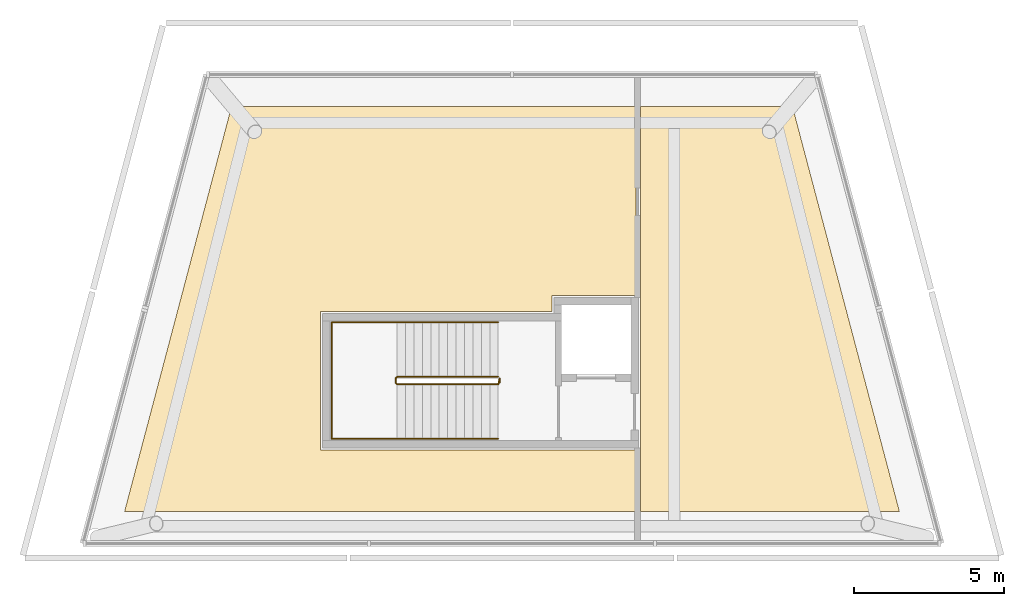
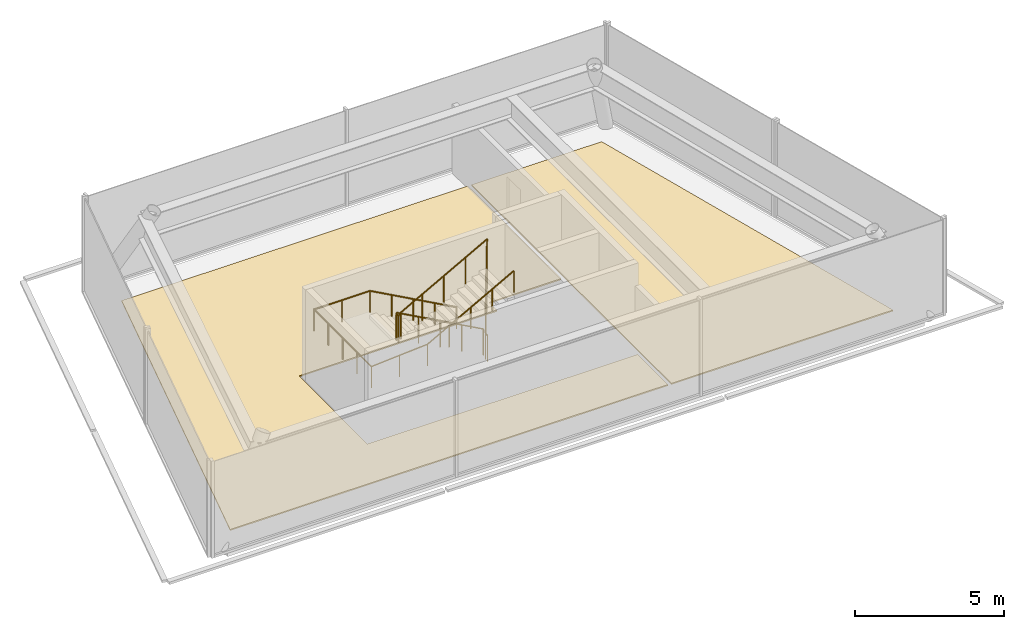
# One storey, part 3 of 3: 2 coverings, 2 railings.
"""IFC4 building model written with IfcOpenShell, lengths in metres."""

from ifc_helpers import new_model, si_unit, direction, frame, origin, origin_2d, place, context, subcontext, project, spatial, polyline, circle, outline, extrude, material, layer, layer_set, type_object, element, save


model = new_model("IFC4")

# Units and contexts
model_context = context("Model", 3, precision=1e-05, world=origin(), true_north=direction((0.0, 1.0)))
body_context = subcontext(model_context, "Body", "Model", "MODEL_VIEW")
ifc_project = project(units=[si_unit("LENGTHUNIT", "METRE"), si_unit("AREAUNIT", "SQUARE_METRE"), si_unit("VOLUMEUNIT", "CUBIC_METRE"), si_unit("PLANEANGLEUNIT", "RADIAN"), si_unit("MASSUNIT", "GRAM", prefix="KILO")], contexts=[model_context])

# Site, building, storey
site_placement = place(None, origin())
site = spatial("IfcSite", under=ifc_project, at=site_placement, CompositionType="ELEMENT")
building_placement = place(site_placement, origin())
building = spatial("IfcBuilding", under=site, at=building_placement, Name="Quipu Civic Tower", CompositionType="ELEMENT")
storey_placement = place(building_placement, frame((0.0, 0.0, 376.0)))
storey = spatial("IfcBuildingStorey", under=building, at=storey_placement, Name="L87", CompositionType="ELEMENT", Elevation=376.0)

# Coverings
ifc_material_1 = material(Name="Sealed cement screed")
ifc_layer = layer(ifc_material_1, 0.050048828125)
ifc_layer_set = layer_set([ifc_layer], Name="Sealed cement screed")
covering_type = type_object("IfcCoveringType", Name="Sealed screed floor finish 50", PredefinedType="FLOORING", material=ifc_layer_set)
covering_1_placement = place(storey_placement, origin())
element("IfcCovering", 1, at=covering_1_placement, inside=storey, type_object=covering_type, Name="Sealed screed floor finish 50", PredefinedType="FLOORING", context=body_context, shape_type="SweptSolid", body=[
    extrude(outline(polyline([(-9.3291015625, 4.89990234375), (4.1298828125, 4.89990234375), (4.1298828125, -1.3798828125), (1.330078125, -1.3798828125), (1.330078125, -1.909912109375), (-6.3701171875, -1.909912109375), (-6.3701171875, -6.52001953125), (4.1298828125, -6.52001953125), (4.1298828125, -8.56005859375), (-12.884033203125, -8.56005859375), (-9.3291015625, 4.89990234375)])), origin(), (0.0, 0.0, 1.0), 0.050048828125),
])
covering_2_placement = place(storey_placement, origin())
element("IfcCovering", 2, at=covering_2_placement, inside=storey, type_object=covering_type, Name="Sealed screed floor finish 50", PredefinedType="FLOORING", context=body_context, shape_type="SweptSolid", body=[
    extrude(outline(polyline([(4.27001953125, 4.89990234375), (9.3291015625, 4.89990234375), (12.884033203125, -8.56005859375), (4.27001953125, -8.56005859375), (4.27001953125, 4.89990234375)])), origin(), (0.0, 0.0, 1.0), 0.050048828125),
])

# Railings
ifc_material_2 = material(Name="Stainless steel", Category="steel")
railing_type_1 = type_object("IfcRailingType", Name="Stair guard 1100", PredefinedType="GUARDRAIL", material=ifc_material_2)
railing_1_placement = place(storey_placement, frame((-0.4599609375, -4.090087890625, 0.15380859375)))
element("IfcRailing", 3, at=railing_1_placement, inside=storey, type_object=railing_type_1, Name="Stair 5 guard", PredefinedType="GUARDRAIL", context=body_context, shape_type="SweptSolid", body=[
    extrude(circle(Radius=0.02392578125, at=origin_2d()), frame((0.0, 0.0, 1.076171875), z_axis=(-0.876421534553, 0.0, 0.481544695509), x_axis=(0.0, -1.0, 0.0)), (0.0, 0.0, 1.0), 3.833984375),
    extrude(circle(Radius=0.02392578125, at=origin_2d()), frame((-3.360107421875, 0.0, 2.92236328125), z_axis=(-0.708833529934, -0.705375805398, 0.0), x_axis=(0.705375805398, -0.708833529934, 0.0)), (0.0, 0.0, 1.0), 0.070556640625),
    extrude(circle(Radius=0.02392578125, at=origin_2d()), frame((-3.41015625, -0.0498046875, 2.92236328125), z_axis=(0.0, -1.0, 0.0), x_axis=(1.0, 0.0, 0.0)), (0.0, 0.0, 1.0), 0.150146484375),
    extrude(circle(Radius=0.02392578125, at=origin_2d()), frame((-3.41015625, -0.199951171875, 2.92236328125), z_axis=(0.295599637079, -0.295599637079, 0.908428152975), x_axis=(0.707106781187, 0.707106781187, 0.0)), (0.0, 0.0, 1.0), 0.16943359375),
    extrude(circle(Radius=0.02392578125, at=origin_2d()), frame((-3.360107421875, -0.25, 3.076171875), z_axis=(0.876421534553, 0.0, 0.481544695509), x_axis=(0.0, 1.0, 0.0)), (0.0, 0.0, 1.0), 3.833984375),
    extrude(circle(Radius=0.02392578125, at=origin_2d()), frame((0.0, -0.25, 4.92236328125), z_axis=(0.012495589946, 0.049982359782, -0.998671930086), x_axis=(-0.970142500145, 0.242535625036, 0.0)), (0.0, 0.0, 1.0), 4.00537109375),
    extrude(circle(Radius=0.02392578125, at=origin_2d()), frame((0.050048828125, -0.0498046875, 0.92236328125), z_axis=(0.0, -1.0, 0.0), x_axis=(1.0, 0.0, 0.0)), (0.0, 0.0, 1.0), 0.150146484375),
    extrude(circle(Radius=0.02099609375, at=origin_2d()), origin(), (0.0, 0.0, 1.0), 1.052001953125),
    extrude(circle(Radius=0.02099609375, at=origin_2d()), frame((-0.840087890625, 0.0, 0.46142578125)), (0.0, 0.0, 1.0), 1.052001953125),
    extrude(circle(Radius=0.02099609375, at=origin_2d()), frame((-1.68017578125, 0.0, 0.923095703125)), (0.0, 0.0, 1.0), 1.052001953125),
    extrude(circle(Radius=0.02099609375, at=origin_2d()), frame((-2.52001953125, 0.0, 1.384765625)), (0.0, 0.0, 1.0), 1.052001953125),
    extrude(circle(Radius=0.02099609375, at=origin_2d()), frame((-3.360107421875, 0.0, 1.84619140625)), (0.0, 0.0, 1.0), 1.052001953125),
    extrude(circle(Radius=0.02099609375, at=origin_2d()), frame((-3.41015625, -0.0498046875, 1.84619140625)), (0.0, 0.0, 1.0), 1.052001953125),
    extrude(circle(Radius=0.02099609375, at=origin_2d()), frame((-3.41015625, -0.199951171875, 1.84619140625)), (0.0, 0.0, 1.0), 1.052001953125),
    extrude(circle(Radius=0.02099609375, at=origin_2d()), frame((-3.360107421875, -0.25, 2.0)), (0.0, 0.0, 1.0), 1.052001953125),
    extrude(circle(Radius=0.02099609375, at=origin_2d()), frame((-2.52001953125, -0.25, 2.46142578125)), (0.0, 0.0, 1.0), 1.052001953125),
    extrude(circle(Radius=0.02099609375, at=origin_2d()), frame((-1.68017578125, -0.25, 2.923095703125)), (0.0, 0.0, 1.0), 1.052001953125),
    extrude(circle(Radius=0.02099609375, at=origin_2d()), frame((-0.840087890625, -0.25, 3.384765625)), (0.0, 0.0, 1.0), 1.052001953125),
    extrude(circle(Radius=0.02099609375, at=origin_2d()), frame((0.0, -0.25, 3.84619140625)), (0.0, 0.0, 1.0), 1.052001953125),
    extrude(circle(Radius=0.02099609375, at=origin_2d()), frame((0.012451171875, -0.199951171875, 2.84619140625)), (0.0, 0.0, 1.0), 1.052001953125),
    extrude(circle(Radius=0.02099609375, at=origin_2d()), frame((0.02490234375, -0.14990234375, 1.84619140625)), (0.0, 0.0, 1.0), 1.052001953125),
    extrude(circle(Radius=0.02099609375, at=origin_2d()), frame((0.03759765625, -0.099853515625, 0.84619140625)), (0.0, 0.0, 1.0), 1.052001953125),
    extrude(circle(Radius=0.02099609375, at=origin_2d()), frame((0.050048828125, -0.0498046875, -0.15380859375)), (0.0, 0.0, 1.0), 1.052001953125),
    extrude(circle(Radius=0.02099609375, at=origin_2d()), frame((0.050048828125, -0.199951171875, -0.15380859375)), (0.0, 0.0, 1.0), 1.052001953125),
])
ifc_material_3 = material(Name="Stainless steel", Category="steel")
railing_type_2 = type_object("IfcRailingType", Name="Stair handrail", PredefinedType="HANDRAIL", material=ifc_material_3)
railing_2_placement = place(storey_placement, frame((-0.4599609375, -2.280029296875, 0.15380859375)))
element("IfcRailing", 4, at=railing_2_placement, inside=storey, type_object=railing_type_2, Name="Stair 5 handrail", PredefinedType="HANDRAIL", context=body_context, shape_type="SweptSolid", body=[
    extrude(circle(Radius=0.02392578125, at=origin_2d()), frame((0.0, 0.0, 0.8759765625), z_axis=(-0.876421534553, 0.0, 0.481544695509), x_axis=(0.0, -1.0, 0.0)), (0.0, 0.0, 1.0), 3.833984375),
    extrude(circle(Radius=0.02392578125, at=origin_2d()), frame((-3.360107421875, 0.0, 2.72216796875), z_axis=(-1.0, 0.0, 0.0), x_axis=(0.0, -1.0, 0.0)), (0.0, 0.0, 1.0), 2.179931640625),
    extrude(circle(Radius=0.02392578125, at=origin_2d()), frame((-5.5400390625, 0.0, 2.72216796875), z_axis=(0.0, -1.0, 0.0), x_axis=(1.0, 0.0, 0.0)), (0.0, 0.0, 1.0), 3.869873046875),
    extrude(circle(Radius=0.02392578125, at=origin_2d()), frame((-5.5400390625, -3.869873046875, 2.72216796875), z_axis=(0.997520137335, 0.0, 0.070381642572), x_axis=(0.0, 1.0, 0.0)), (0.0, 0.0, 1.0), 2.185302734375),
    extrude(circle(Radius=0.02392578125, at=origin_2d()), frame((-3.360107421875, -3.869873046875, 2.8759765625), z_axis=(0.876421534553, 0.0, 0.481544695509), x_axis=(0.0, 1.0, 0.0)), (0.0, 0.0, 1.0), 3.833984375),
    extrude(circle(Radius=0.02099609375, at=origin_2d()), origin(), (0.0, 0.0, 1.0), 0.851806640625),
    extrude(circle(Radius=0.02099609375, at=origin_2d()), frame((-0.840087890625, 0.0, 0.46142578125)), (0.0, 0.0, 1.0), 0.851806640625),
    extrude(circle(Radius=0.02099609375, at=origin_2d()), frame((-1.68017578125, 0.0, 0.923095703125)), (0.0, 0.0, 1.0), 0.851806640625),
    extrude(circle(Radius=0.02099609375, at=origin_2d()), frame((-2.52001953125, 0.0, 1.384765625)), (0.0, 0.0, 1.0), 0.851806640625),
    extrude(circle(Radius=0.02099609375, at=origin_2d()), frame((-3.360107421875, 0.0, 1.84619140625)), (0.0, 0.0, 1.0), 0.851806640625),
    extrude(circle(Radius=0.02099609375, at=origin_2d()), frame((-4.4501953125, 0.0, 1.84619140625)), (0.0, 0.0, 1.0), 0.851806640625),
    extrude(circle(Radius=0.02099609375, at=origin_2d()), frame((-5.5400390625, 0.0, 1.84619140625)), (0.0, 0.0, 1.0), 0.851806640625),
    extrude(circle(Radius=0.02099609375, at=origin_2d()), frame((-5.5400390625, -0.967529296875, 1.84619140625)), (0.0, 0.0, 1.0), 0.851806640625),
    extrude(circle(Radius=0.02099609375, at=origin_2d()), frame((-5.5400390625, -1.93505859375, 1.84619140625)), (0.0, 0.0, 1.0), 0.851806640625),
    extrude(circle(Radius=0.02099609375, at=origin_2d()), frame((-5.5400390625, -2.90234375, 1.84619140625)), (0.0, 0.0, 1.0), 0.851806640625),
    extrude(circle(Radius=0.02099609375, at=origin_2d()), frame((-5.5400390625, -3.869873046875, 1.84619140625)), (0.0, 0.0, 1.0), 0.851806640625),
    extrude(circle(Radius=0.02099609375, at=origin_2d()), frame((-4.4501953125, -3.869873046875, 1.923095703125)), (0.0, 0.0, 1.0), 0.851806640625),
    extrude(circle(Radius=0.02099609375, at=origin_2d()), frame((-3.360107421875, -3.869873046875, 2.0)), (0.0, 0.0, 1.0), 0.851806640625),
    extrude(circle(Radius=0.02099609375, at=origin_2d()), frame((-2.52001953125, -3.869873046875, 2.46142578125)), (0.0, 0.0, 1.0), 0.851806640625),
    extrude(circle(Radius=0.02099609375, at=origin_2d()), frame((-1.68017578125, -3.869873046875, 2.923095703125)), (0.0, 0.0, 1.0), 0.851806640625),
    extrude(circle(Radius=0.02099609375, at=origin_2d()), frame((-0.840087890625, -3.869873046875, 3.384765625)), (0.0, 0.0, 1.0), 0.851806640625),
    extrude(circle(Radius=0.02099609375, at=origin_2d()), frame((0.0, -3.869873046875, 3.84619140625)), (0.0, 0.0, 1.0), 0.851806640625),
])

save(model, "model.ifc")
